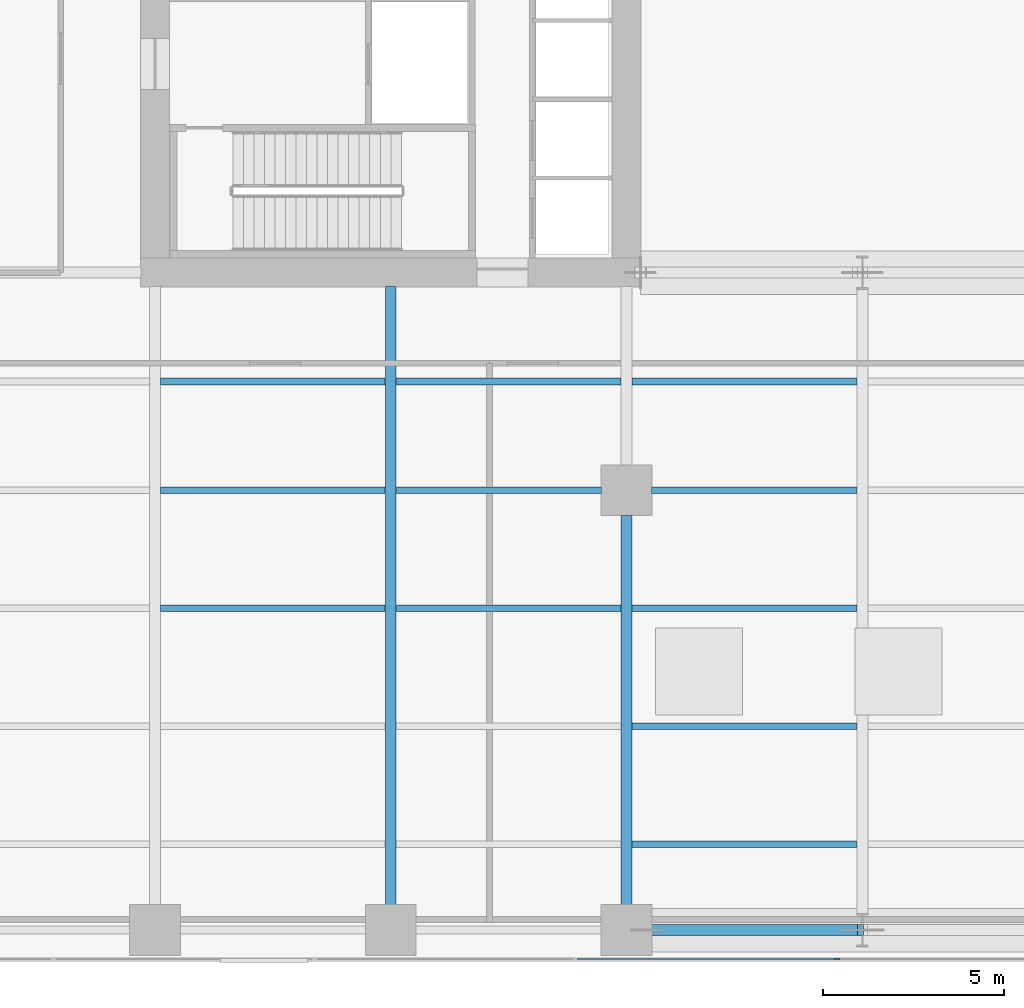
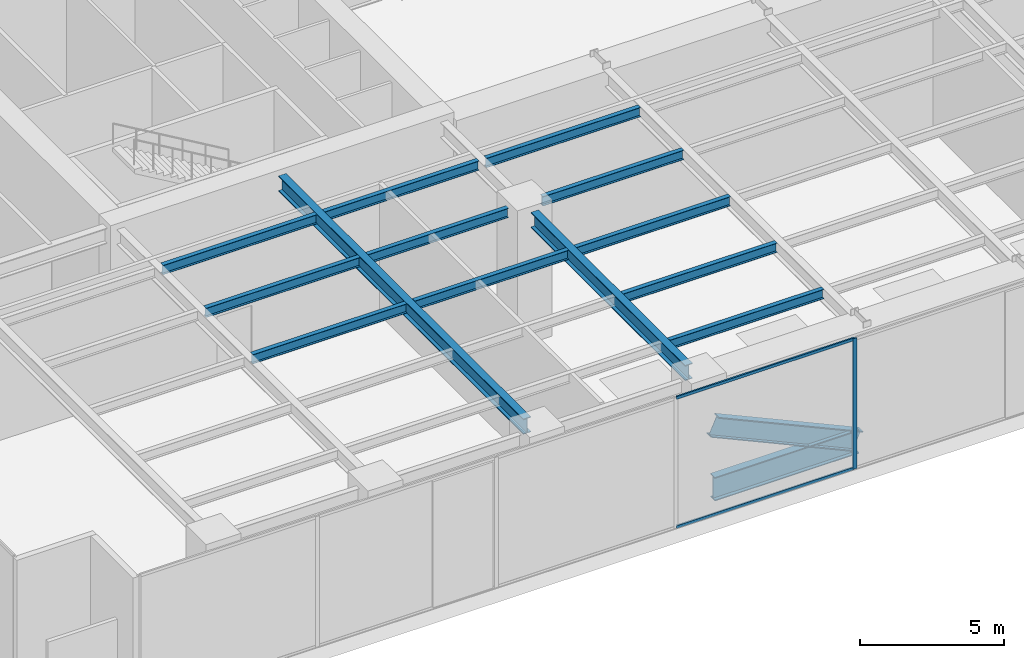
# One storey, part 4 of 25: 14 beams, 4 members, 1 element without a shape of its own.
"""IFC4 building model written with IfcOpenShell, lengths in metres."""

from ifc_helpers import new_model, si_unit, direction, frame, origin, origin_2d, place, context, subcontext, project, spatial, rectangle, i_section, extrude, material, layer, layer_set, material_profile, profile_set, type_object, element, aggregate, save


model = new_model("IFC4")

# Units and contexts
model_context = context("Model", 3, precision=1e-05, world=origin(), true_north=direction((0.0, 1.0)))
body_context = subcontext(model_context, "Body", "Model", "MODEL_VIEW")
ifc_project = project(units=[si_unit("LENGTHUNIT", "METRE"), si_unit("AREAUNIT", "SQUARE_METRE"), si_unit("VOLUMEUNIT", "CUBIC_METRE"), si_unit("PLANEANGLEUNIT", "RADIAN"), si_unit("MASSUNIT", "GRAM", prefix="KILO")], contexts=[model_context])

# Site, building, storey
site_placement = place(None, origin())
site = spatial("IfcSite", under=ifc_project, at=site_placement, CompositionType="ELEMENT")
building_placement = place(site_placement, origin())
building = spatial("IfcBuilding", under=site, at=building_placement, Name="Putna Gate Headquarters", CompositionType="ELEMENT")
storey_placement = place(building_placement, frame((0.0, 0.0, 22.0)))
storey = spatial("IfcBuildingStorey", under=building, at=storey_placement, Name="L04", CompositionType="ELEMENT", Elevation=22.0)

# Beams
ifc_material_1 = material(Name="Steel S355J2", Category="steel")
ifc_material_profile_1 = material_profile(ifc_material_1, i_section(OverallWidth=0.300048828125, OverallDepth=0.64990234375, WebThickness=0.01611328125, FlangeThickness=0.031005859375, at=origin_2d()), Name="Steel S355J2")
ifc_profile_set_1 = profile_set([ifc_material_profile_1], Name="Steel S355J2")
beam_type_1 = type_object("IfcBeamType", Name="BM-GIRD-Z1-HEB650", PredefinedType="USERDEFINED", material=ifc_profile_set_1)
beam_1_placement = place(storey_placement, frame((19.5, 1.568115234375, 5.22509765625), z_axis=(0.0, 1.0, 0.0), x_axis=(-1.0, 0.0, 0.0)))
element("IfcBeam", 1, at=beam_1_placement, inside=storey, type_object=beam_type_1, Name="L04 South Primary Girder X19", ObjectType="GIRDER", PredefinedType="USERDEFINED", context=body_context, shape_type="SweptSolid", body=[
    extrude(i_section(OverallWidth=0.300048828125, OverallDepth=0.64990234375, WebThickness=0.01611328125, FlangeThickness=0.031005859375, at=origin_2d()), origin(), (0.0, 0.0, 1.0), 17.046875),
])
beam_2_placement = place(storey_placement, frame((26.0, 1.568115234375, 5.22509765625), z_axis=(0.0, 1.0, 0.0), x_axis=(-1.0, 0.0, 0.0)))
element("IfcBeam", 2, at=beam_2_placement, inside=storey, type_object=beam_type_1, Name="L04 South Primary Girder X26-1", ObjectType="GIRDER", PredefinedType="USERDEFINED", context=body_context, shape_type="SweptSolid", body=[
    extrude(i_section(OverallWidth=0.300048828125, OverallDepth=0.64990234375, WebThickness=0.01611328125, FlangeThickness=0.031005859375, at=origin_2d()), origin(), (0.0, 0.0, 1.0), 10.743896484375),
])
ifc_material_profile_2 = material_profile(ifc_material_1, i_section(OverallWidth=0.179931640625, OverallDepth=0.39990234375, WebThickness=0.008544921875, FlangeThickness=0.013427734375, at=origin_2d()), Name="Steel S355J2")
ifc_profile_set_2 = profile_set([ifc_material_profile_2], Name="Steel S355J2")
beam_type_2 = type_object("IfcBeamType", Name="BM-SEC-Z1-IPE400", PredefinedType="BEAM", material=ifc_profile_set_2)
for number, where, z_axis, x_axis, name in (
    (3, (13.154052734375, 9.75, 5.35009765625), (1.0, 0.0, 0.0), (0.0, 1.0, 0.0), "L04 South Secondary Beam 2"),
    (4, (13.154052734375, 13.0, 5.35009765625), (1.0, 0.0, 0.0), (0.0, 1.0, 0.0), "L04 South Secondary Beam 2"),
    (5, (13.154052734375, 16.0, 5.35009765625), (1.0, 0.0, 0.0), (0.0, 1.0, 0.0), "L04 South Secondary Beam 2"),
    (6, (19.654052734375, 9.75, 5.35009765625), (1.0, 0.0, 0.0), (0.0, 1.0, 0.0), "L04 South Secondary Beam 3"),
):
    element("IfcBeam", number, at=place(storey_placement, frame(where, z_axis=z_axis, x_axis=x_axis)), inside=storey, type_object=beam_type_2, Name=name, PredefinedType="BEAM", context=body_context, shape_type="SweptSolid", body=[
        extrude(i_section(OverallWidth=0.179931640625, OverallDepth=0.39990234375, WebThickness=0.008544921875, FlangeThickness=0.013427734375, at=origin_2d()), origin(), (0.0, 0.0, 1.0), 6.19189453125),
    ])
beam_3_placement = place(storey_placement, frame((19.654052734375, 13.0, 5.35009765625), z_axis=(1.0, 0.0, 0.0), x_axis=(0.0, 1.0, 0.0)))
element("IfcBeam", 7, at=beam_3_placement, inside=storey, type_object=beam_type_2, Name="L04 South Secondary Beam 3", PredefinedType="BEAM", context=body_context, shape_type="SweptSolid", body=[
    extrude(i_section(OverallWidth=0.179931640625, OverallDepth=0.39990234375, WebThickness=0.008544921875, FlangeThickness=0.013427734375, at=origin_2d()), origin(), (0.0, 0.0, 1.0), 5.657958984375),
])
for number, where, z_axis, x_axis, name in (
    (8, (19.654052734375, 16.0, 5.35009765625), (1.0, 0.0, 0.0), (0.0, 1.0, 0.0), "L04 South Secondary Beam 3"),
    (9, (26.154052734375, 3.25, 5.35009765625), (1.0, 0.0, 0.0), (0.0, 1.0, 0.0), "L04 South Secondary Beam 4"),
    (10, (26.154052734375, 6.5, 5.35009765625), (1.0, 0.0, 0.0), (0.0, 1.0, 0.0), "L04 South Secondary Beam 4"),
    (11, (26.154052734375, 9.75, 5.35009765625), (1.0, 0.0, 0.0), (0.0, 1.0, 0.0), "L04 South Secondary Beam 4"),
):
    element("IfcBeam", number, at=place(storey_placement, frame(where, z_axis=z_axis, x_axis=x_axis)), inside=storey, type_object=beam_type_2, Name=name, PredefinedType="BEAM", context=body_context, shape_type="SweptSolid", body=[
        extrude(i_section(OverallWidth=0.179931640625, OverallDepth=0.39990234375, WebThickness=0.008544921875, FlangeThickness=0.013427734375, at=origin_2d()), origin(), (0.0, 0.0, 1.0), 6.19189453125),
    ])
beam_4_placement = place(storey_placement, frame((26.68798828125, 13.0, 5.35009765625), z_axis=(1.0, 0.0, 0.0), x_axis=(0.0, 1.0, 0.0)))
element("IfcBeam", 12, at=beam_4_placement, inside=storey, type_object=beam_type_2, Name="L04 South Secondary Beam 4", PredefinedType="BEAM", context=body_context, shape_type="SweptSolid", body=[
    extrude(i_section(OverallWidth=0.179931640625, OverallDepth=0.39990234375, WebThickness=0.008544921875, FlangeThickness=0.013427734375, at=origin_2d()), origin(), (0.0, 0.0, 1.0), 5.657958984375),
])
beam_5_placement = place(storey_placement, frame((26.154052734375, 16.0, 5.35009765625), z_axis=(1.0, 0.0, 0.0), x_axis=(0.0, 1.0, 0.0)))
element("IfcBeam", 13, at=beam_5_placement, inside=storey, type_object=beam_type_2, Name="L04 South Secondary Beam 4", PredefinedType="BEAM", context=body_context, shape_type="SweptSolid", body=[
    extrude(i_section(OverallWidth=0.179931640625, OverallDepth=0.39990234375, WebThickness=0.008544921875, FlangeThickness=0.013427734375, at=origin_2d()), origin(), (0.0, 0.0, 1.0), 6.19189453125),
])
ifc_material_2 = material(Name="Steel S460M", Category="steel")
ifc_material_profile_3 = material_profile(ifc_material_2, i_section(OverallWidth=0.302001953125, OverallDepth=1.008056640625, WebThickness=0.02099609375, FlangeThickness=0.0400390625, at=origin_2d()), Name="Steel S460M")
ifc_profile_set_3 = profile_set([ifc_material_profile_3], Name="Steel S460M")
beam_type_3 = type_object("IfcBeamType", Name="BM-TG-HEM1000-EXT", PredefinedType="USERDEFINED", material=ifc_profile_set_3)
beam_6_placement = place(storey_placement, frame((26.56005859375, 0.8798828125, 0.550048828125), z_axis=(1.0, 0.0, 0.0), x_axis=(0.0, 1.0, 0.0)))
element("IfcBeam", 14, at=beam_6_placement, inside=storey, type_object=beam_type_3, Name="L04 Transfer Truss S Bottom Chord Girder 1", ObjectType="GIRDER", PredefinedType="USERDEFINED", context=body_context, shape_type="SweptSolid", body=[
    extrude(i_section(OverallWidth=0.302001953125, OverallDepth=1.008056640625, WebThickness=0.02099609375, FlangeThickness=0.0400390625, at=origin_2d()), origin(), (0.0, 0.0, 1.0), 5.800048828125),
])

# Member
ifc_material_profile_4 = material_profile(ifc_material_2, i_section(OverallWidth=0.302978515625, OverallDepth=0.81396484375, WebThickness=0.02099609375, FlangeThickness=0.0400390625, at=origin_2d()), Name="Steel S460M")
ifc_profile_set_4 = profile_set([ifc_material_profile_4], Name="Steel S460M")
member_type_1 = type_object("IfcMemberType", Name="MEM-TRUSS-DIAG-EXT-HEM800", PredefinedType="BRACE", material=ifc_profile_set_4)
member_1_placement = place(storey_placement, frame((26.56005859375, 0.8798828125, 3.179931640625), z_axis=(0.910750758001, 0.0, -0.412956482939), x_axis=(0.0, 1.0, 0.0)))
element("IfcMember", 15, at=member_1_placement, inside=storey, type_object=member_type_1, Name="L04 Transfer Truss S Diagonal 1", PredefinedType="BRACE", context=body_context, shape_type="SweptSolid", body=[
    extrude(i_section(OverallWidth=0.302978515625, OverallDepth=0.81396484375, WebThickness=0.02099609375, FlangeThickness=0.0400390625, at=origin_2d()), origin(), (0.0, 0.0, 1.0), 6.368408203125),
])

# Curtain wall, members
ifc_material_3 = material(Name="Anodised bronze aluminium curtain wall", Category="aluminium")
ifc_layer = layer(ifc_material_3, 0.159912109375)
ifc_layer_set = layer_set([ifc_layer], Name="Anodised bronze aluminium curtain wall")
curtain_wall_type = type_object("IfcCurtainWallType", Name="CW-SYS-CRN", PredefinedType="USERDEFINED", material=ifc_layer_set)
curtain_wall_placement = place(storey_placement, origin())
curtain_wall = element("IfcCurtainWall", 16, at=curtain_wall_placement, inside=storey, type_object=curtain_wall_type, Name="L04 Acoustic Louvre South Enclosure", ObjectType="STICK CURTAIN WALL", PredefinedType="USERDEFINED")
ifc_material_4 = material(Name="Anodised bronze aluminium EN AW-6060", Category="aluminium")
ifc_material_profile_5 = material_profile(ifc_material_4, rectangle(XDim=0.06494140625, YDim=0.159912109375, at=origin_2d()), Name="Anodised bronze aluminium EN AW-6060")
ifc_profile_set_5 = profile_set([ifc_material_profile_5], Name="Anodised bronze aluminium EN AW-6060")
member_type_2 = type_object("IfcMemberType", Name="MULL-CWM-CR", PredefinedType="MULLION", material=ifc_profile_set_5)
member_2_placement = place(storey_placement, frame((31.800048828125, 0.080078125, 0.0), z_axis=(0.0, 0.0, 1.0), x_axis=(0.0, 1.0, 0.0)))
member_2 = element("IfcMember", 17, at=member_2_placement, type_object=member_type_2, Name="CWS-CR mullion 5", PredefinedType="MULLION", context=body_context, shape_type="SweptSolid", body=[
    extrude(rectangle(XDim=0.06494140625, YDim=0.159912109375, at=origin_2d()), origin(), (0.0, 0.0, 1.0), 5.550048828125),
])
ifc_material_profile_6 = material_profile(ifc_material_4, rectangle(XDim=0.06494140625, YDim=0.1201171875, at=origin_2d()), Name="Anodised bronze aluminium EN AW-6060")
ifc_profile_set_6 = profile_set([ifc_material_profile_6], Name="Anodised bronze aluminium EN AW-6060")
member_type_3 = type_object("IfcMemberType", Name="TRAN-CWT-CR", PredefinedType="USERDEFINED", material=ifc_profile_set_6)
member_3_placement = place(storey_placement, frame((24.632568359375, 0.080078125, 0.032470703125), z_axis=(1.0, 0.0, 0.0), x_axis=(0.0, 1.0, 0.0)))
member_3 = element("IfcMember", 18, at=member_3_placement, type_object=member_type_3, Name="CWS-CR transom 4.1", ObjectType="TRANSOM", PredefinedType="USERDEFINED", context=body_context, shape_type="SweptSolid", body=[
    extrude(rectangle(XDim=0.06494140625, YDim=0.1201171875, at=origin_2d()), origin(), (0.0, 0.0, 1.0), 7.135009765625),
])
member_4_placement = place(storey_placement, frame((24.632568359375, 0.080078125, 5.517578125), z_axis=(1.0, 0.0, 0.0), x_axis=(0.0, 1.0, 0.0)))
member_4 = element("IfcMember", 19, at=member_4_placement, type_object=member_type_3, Name="CWS-CR transom 4.2", ObjectType="TRANSOM", PredefinedType="USERDEFINED", context=body_context, shape_type="SweptSolid", body=[
    extrude(rectangle(XDim=0.06494140625, YDim=0.1201171875, at=origin_2d()), origin(), (0.0, 0.0, 1.0), 7.135009765625),
])
aggregate(curtain_wall, [member_2, member_3, member_4])

save(model, "model.ifc")
